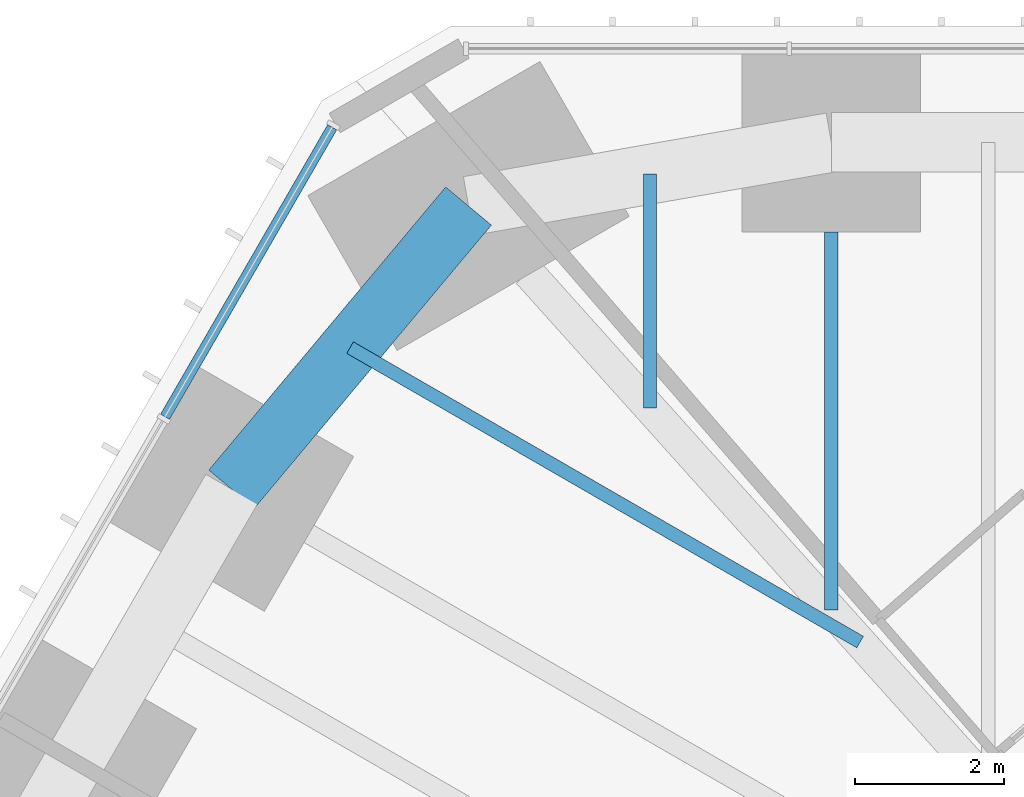
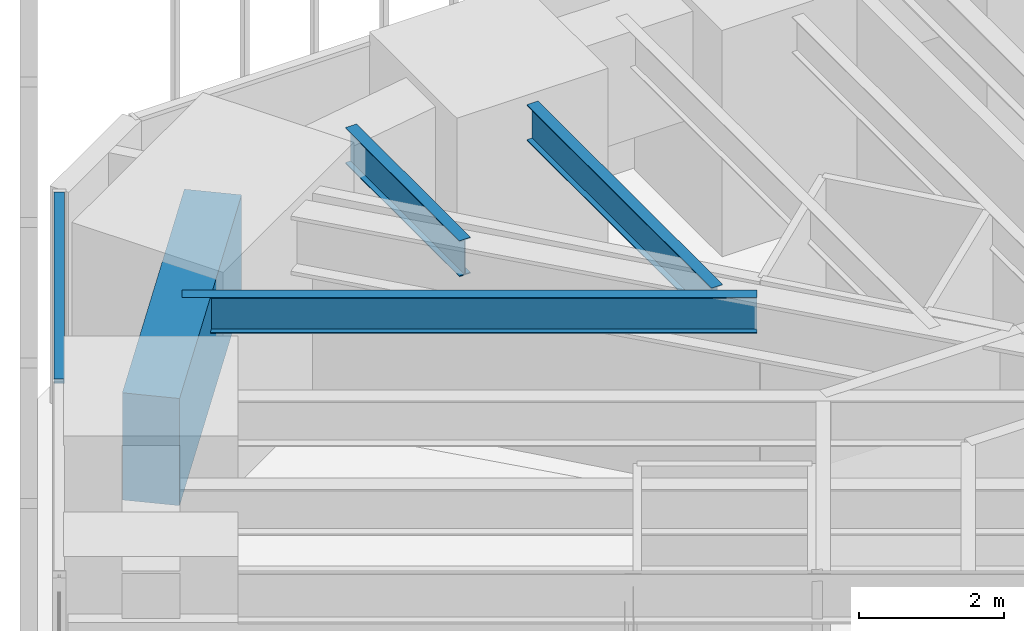
# One storey, part 158 of 256: 4 beams, 1 member, 1 element without a shape of its own.
"""IFC4 building model written with IfcOpenShell, lengths in metres."""

from ifc_helpers import new_model, si_unit, direction, frame, origin, origin_2d, place, context, subcontext, project, spatial, rectangle, i_section, extrude, material, material_profile, profile_set, type_object, element, aggregate, save


model = new_model("IFC4")

# Units and contexts
model_context = context("Model", 3, precision=1e-05, world=origin(), true_north=direction((0.0, 1.0)))
body_context = subcontext(model_context, "Body", "Model", "MODEL_VIEW")
ifc_project = project(units=[si_unit("LENGTHUNIT", "METRE"), si_unit("AREAUNIT", "SQUARE_METRE"), si_unit("VOLUMEUNIT", "CUBIC_METRE"), si_unit("PLANEANGLEUNIT", "RADIAN"), si_unit("MASSUNIT", "GRAM", prefix="KILO")], contexts=[model_context])

# Site, building, storey
site_placement = place(None, origin())
site = spatial("IfcSite", under=ifc_project, at=site_placement, CompositionType="ELEMENT")
building_placement = place(site_placement, origin())
building = spatial("IfcBuilding", under=site, at=building_placement, Name="Sandreach Pilgrim Tower", CompositionType="ELEMENT")
storey_placement = place(building_placement, frame((0.0, 0.0, 23.0)))
storey = spatial("IfcBuildingStorey", under=building, at=storey_placement, Name="L04", CompositionType="ELEMENT", Elevation=23.0)

# Curtain wall, member
ifc_material_1 = material(Name="Aluminium framed curtain wall", Category="aluminium")
curtain_wall_type = type_object("IfcCurtainWallType", Name="Hostel tower curtain wall", PredefinedType="NOTDEFINED", material=ifc_material_1)
curtain_wall_placement = place(storey_placement, origin())
curtain_wall = element("IfcCurtainWall", 1, at=curtain_wall_placement, inside=storey, type_object=curtain_wall_type, Name="CW-1 L04 NW", PredefinedType="NOTDEFINED")
ifc_material_2 = material(Name="Aluminium extrusion", Category="aluminium")
ifc_material_profile_1 = material_profile(ifc_material_2, rectangle(XDim=0.139892578125, YDim=0.070068359375, at=origin_2d()), Name="CW-1T 140X70")
ifc_profile_set_1 = profile_set([ifc_material_profile_1], Name="Aluminium extrusion")
member_type = type_object("IfcMemberType", Name="CW-1 transom", PredefinedType="USERDEFINED", material=ifc_profile_set_1)
member_placement = place(storey_placement, frame((-23.680908203125, 19.005126953125, 3.60498046875), z_axis=(0.500017500808, 0.866015299452, 0.0), x_axis=(-0.866015299452, 0.500017500808, 0.0)))
member = element("IfcMember", 2, at=member_placement, type_object=member_type, Name="CW-1 head transom 4", ObjectType="TRANSOM", PredefinedType="USERDEFINED", context=body_context, shape_type="SweptSolid", body=[
    extrude(rectangle(XDim=0.139892578125, YDim=0.070068359375, at=origin_2d()), origin(), (0.0, 0.0, 1.0), 4.488525390625),
])
aggregate(curtain_wall, [member])

# Beams
ifc_material_3 = material(Name="Steel ASTM A992 Grade 50", Category="steel")
ifc_material_profile_2 = material_profile(ifc_material_3, i_section(OverallWidth=0.1787109375, OverallDepth=0.60205078125, WebThickness=0.010986328125, FlangeThickness=0.014892578125, at=origin_2d()), Name="W24X62")
ifc_profile_set_2 = profile_set([ifc_material_profile_2], Name="Steel ASTM A992 Grade 50")
beam_type_1 = type_object("IfcBeamType", Name="Floor beam W24X62", PredefinedType="BEAM", material=ifc_profile_set_2)
beam_1_placement = place(storey_placement, frame((-14.734619140625, 21.48876953125, 3.339111328125), z_axis=(0.0, -1.0, 0.0), x_axis=(1.0, 0.0, 0.0)))
element("IfcBeam", 3, at=beam_1_placement, inside=storey, type_object=beam_type_1, Name="BM L04 F01", PredefinedType="BEAM", context=body_context, shape_type="SweptSolid", body=[
    extrude(i_section(OverallWidth=0.1787109375, OverallDepth=0.60205078125, WebThickness=0.010986328125, FlangeThickness=0.014892578125, at=origin_2d()), origin(), (0.0, 0.0, 1.0), 5.079345703125),
])
beam_2_placement = place(storey_placement, frame((-21.197021484375, 19.933349609375, 3.339111328125), z_axis=(0.866028778003, -0.499994155636, 0.0), x_axis=(0.499994155636, 0.866028778003, 0.0)))
element("IfcBeam", 4, at=beam_2_placement, inside=storey, type_object=beam_type_1, Name="BM L04 FM38", PredefinedType="BEAM", context=body_context, shape_type="SweptSolid", body=[
    extrude(i_section(OverallWidth=0.1787109375, OverallDepth=0.60205078125, WebThickness=0.010986328125, FlangeThickness=0.014892578125, at=origin_2d()), origin(), (0.0, 0.0, 1.0), 7.90771484375),
])
beam_3_placement = place(storey_placement, frame((-17.17041015625, 22.26171875, 3.339111328125), z_axis=(0.0, -1.0, 0.0), x_axis=(1.0, 0.0, 0.0)))
element("IfcBeam", 5, at=beam_3_placement, inside=storey, type_object=beam_type_1, Name="BM L04 FM39", PredefinedType="BEAM", context=body_context, shape_type="SweptSolid", body=[
    extrude(i_section(OverallWidth=0.1787109375, OverallDepth=0.60205078125, WebThickness=0.010986328125, FlangeThickness=0.014892578125, at=origin_2d()), origin(), (0.0, 0.0, 1.0), 3.1396484375),
])
ifc_material_4 = material(Name="Concrete 10000 psi", Category="concrete")
ifc_material_profile_3 = material_profile(ifc_material_4, rectangle(XDim=0.800048828125, YDim=1.800048828125, at=origin_2d()), Name="RC800X1800")
ifc_profile_set_3 = profile_set([ifc_material_profile_3], Name="Concrete 10000 psi")
beam_type_2 = type_object("IfcBeamType", Name="Spandrel beam RC800X1800", PredefinedType="SPANDREL", material=ifc_profile_set_3)
beam_4_placement = place(storey_placement, frame((-22.787841796875, 18.031982421875, 2.739990234375), z_axis=(0.641665295114, 0.766984777584, 0.0), x_axis=(-0.766984777584, 0.641665295114, 0.0)))
element("IfcBeam", 6, at=beam_4_placement, inside=storey, type_object=beam_type_2, Name="BM L04 SP38", PredefinedType="SPANDREL", context=body_context, shape_type="SweptSolid", body=[
    extrude(rectangle(XDim=0.800048828125, YDim=1.800048828125, at=origin_2d()), origin(), (0.0, 0.0, 1.0), 4.9580078125),
])

save(model, "model.ifc")
